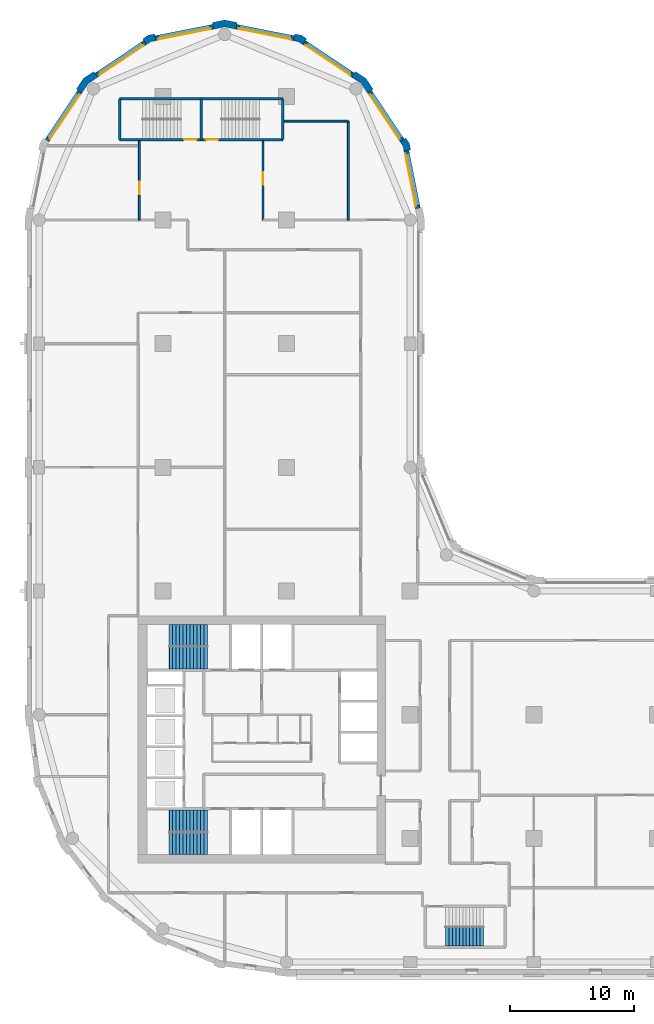
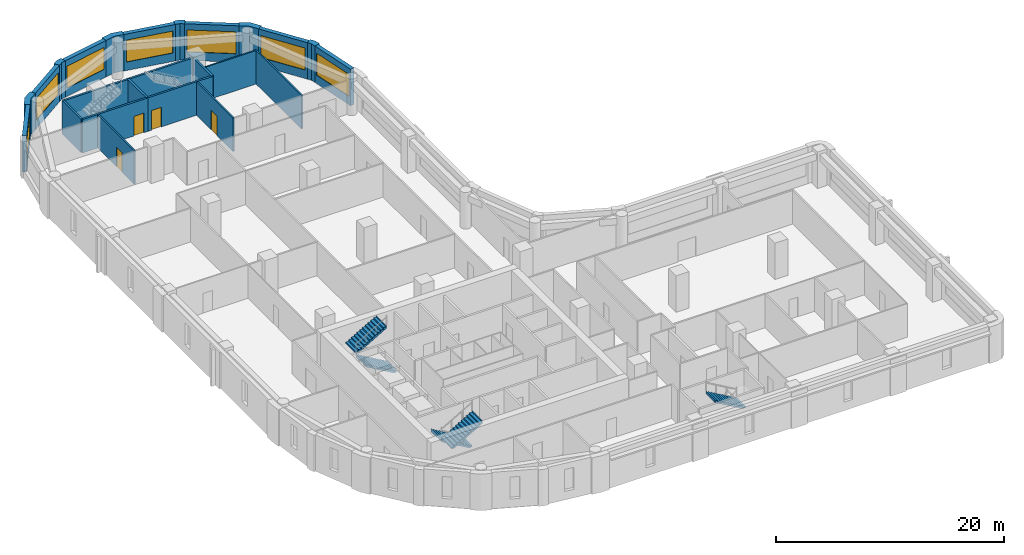
# One storey, part 7 of 10: 24 walls, 7 windows, 5 stair flights, 4 doors, 11 openings, 3 elements without a shape of their own.
"""IFC4 building model written with IfcOpenShell, lengths in metres."""

from ifc_helpers import new_model, si_unit, direction, frame, frame_2d, origin, place, context, subcontext, project, spatial, polyline, rectangle, outline, extrude, material, layer, layer_set, type_object, element, fill, aggregate, save


model = new_model("IFC4")

# Units and contexts
model_context = context("Model", 3, precision=1e-05, world=origin(), true_north=direction((0.0, 1.0)))
body_context = subcontext(model_context, "Body", "Model", "MODEL_VIEW")
ifc_project = project(units=[si_unit("LENGTHUNIT", "METRE"), si_unit("AREAUNIT", "SQUARE_METRE"), si_unit("VOLUMEUNIT", "CUBIC_METRE"), si_unit("PLANEANGLEUNIT", "RADIAN"), si_unit("MASSUNIT", "GRAM", prefix="KILO")], contexts=[model_context])

# Site, building, storey
site_placement = place(None, origin())
site = spatial("IfcSite", under=ifc_project, at=site_placement, CompositionType="ELEMENT")
building_placement = place(site_placement, origin())
building = spatial("IfcBuilding", under=site, at=building_placement, Name="Qaws Garden Tower", CompositionType="ELEMENT")
storey_placement = place(building_placement, frame((0.0, 0.0, 201.89990234375)))
storey = spatial("IfcBuildingStorey", under=building, at=storey_placement, Name="L49", CompositionType="ELEMENT", Elevation=201.89990234375)

# Wall, opening, window
ifc_material_1 = material(Name="Clay facing brick masonry", Category="masonry")
ifc_layer_1 = layer(ifc_material_1, 0.39990234375)
ifc_layer_set_1 = layer_set([ifc_layer_1], Name="Clay facing brick masonry")
wall_type_1 = type_object("IfcWallType", Name="Brick infill wall 400", PredefinedType="SOLIDWALL", material=ifc_layer_set_1)
wall_1_placement = place(storey_placement, frame((30.628662109375, 60.940673828125, 0.0), z_axis=(0.0, 0.0, 1.0), x_axis=(-0.195098533057, 0.98078364709, 0.0)))
wall_1 = element("IfcWall", 1, at=wall_1_placement, inside=storey, type_object=wall_type_1, Name="E-L49-infill-13", PredefinedType="SOLIDWALL", context=body_context, shape_type="SweptSolid", body=[
    extrude(rectangle(XDim=4.752685546875, YDim=0.39990234375, at=frame_2d((2.37646484375, 0.0))), origin(), (0.0, 0.0, 1.0), 3.900146484375),
])
opening_1_placement = place(wall_1_placement, frame((0.226318359375, 0.0, 0.89990234375)))
opening_1 = element("IfcOpeningElement", 2, at=opening_1_placement, cuts=wall_1, Name="Opening W06", PredefinedType="OPENING", context=body_context, shape_type="SweptSolid", body=[
    extrude(rectangle(XDim=4.300048828125, YDim=2.35009765625, at=frame_2d((2.14990234375, 1.175048828125))), frame((0.0, 0.2099609375, 0.0), z_axis=(0.0, -1.0, 0.0), x_axis=(1.0, 0.0, 0.0)), (0.0, 0.0, 1.0), 0.419921875),
])
ifc_material_2 = material(Name="Aluminium framed window, clear glazing", Category="aluminium")
window_type = type_object("IfcWindowType", Name="Ribbon window 4300 x 2350", PartitioningType="DOUBLE_PANEL_VERTICAL", PredefinedType="WINDOW", material=ifc_material_2)
window_1_placement = place(opening_1_placement, origin())
window_1 = element("IfcWindow", 3, at=window_1_placement, inside=storey, type_object=window_type, Name="E-L49-window-13-0", OverallHeight=2.35009765625, OverallWidth=4.300048828125, PartitioningType="SINGLE_PANEL", PredefinedType="WINDOW", context=body_context, shape_type="SweptSolid", body=[
    extrude(rectangle(XDim=4.300048828125, YDim=2.35009765625, at=frame_2d((2.14990234375, 1.175048828125))), frame((0.0, 0.159912109375, 0.0), z_axis=(0.0, -1.0, 0.0), x_axis=(1.0, 0.0, 0.0)), (0.0, 0.0, 1.0), 0.06005859375),
])
fill(opening_1, window_1)

wall_2_placement = place(storey_placement, frame((29.356689453125, 66.43408203125, 0.0), z_axis=(0.0, 0.0, 1.0), x_axis=(-0.555541552266, 0.831488775454, 0.0)))
wall_2 = element("IfcWall", 4, at=wall_2_placement, inside=storey, type_object=wall_type_1, Name="E-L49-infill-14", PredefinedType="SOLIDWALL", context=body_context, shape_type="SweptSolid", body=[
    extrude(rectangle(XDim=4.752685546875, YDim=0.39990234375, at=frame_2d((2.37646484375, 0.0))), origin(), (0.0, 0.0, 1.0), 3.900146484375),
])
opening_2_placement = place(wall_2_placement, frame((0.226318359375, 0.0, 0.89990234375)))
opening_2 = element("IfcOpeningElement", 5, at=opening_2_placement, cuts=wall_2, Name="Opening W06", PredefinedType="OPENING", context=body_context, shape_type="SweptSolid", body=[
    extrude(rectangle(XDim=4.300048828125, YDim=2.35009765625, at=frame_2d((2.14990234375, 1.175048828125))), frame((0.0, 0.2099609375, 0.0), z_axis=(0.0, -1.0, 0.0), x_axis=(1.0, 0.0, 0.0)), (0.0, 0.0, 1.0), 0.419921875),
])
window_2_placement = place(opening_2_placement, origin())
window_2 = element("IfcWindow", 6, at=window_2_placement, inside=storey, type_object=window_type, Name="E-L49-window-14-0", OverallHeight=2.35009765625, OverallWidth=4.300048828125, PartitioningType="SINGLE_PANEL", PredefinedType="WINDOW", context=body_context, shape_type="SweptSolid", body=[
    extrude(rectangle(XDim=4.300048828125, YDim=2.35009765625, at=frame_2d((2.14990234375, 1.175048828125))), frame((0.0, 0.159912109375, 0.0), z_axis=(0.0, -1.0, 0.0), x_axis=(1.0, 0.0, 0.0)), (0.0, 0.0, 1.0), 0.06005859375),
])
fill(opening_2, window_2)

wall_3_placement = place(storey_placement, frame((25.385986328125, 71.71630859375, 0.0), z_axis=(0.0, 0.0, 1.0), x_axis=(-0.831488775454, 0.555541552266, 0.0)))
wall_3 = element("IfcWall", 7, at=wall_3_placement, inside=storey, type_object=wall_type_1, Name="E-L49-infill-15", PredefinedType="SOLIDWALL", context=body_context, shape_type="SweptSolid", body=[
    extrude(rectangle(XDim=4.752685546875, YDim=0.39990234375, at=frame_2d((2.37646484375, 0.0))), origin(), (0.0, 0.0, 1.0), 3.900146484375),
])
opening_3_placement = place(wall_3_placement, frame((0.226318359375, 0.0, 0.89990234375)))
opening_3 = element("IfcOpeningElement", 8, at=opening_3_placement, cuts=wall_3, Name="Opening W06", PredefinedType="OPENING", context=body_context, shape_type="SweptSolid", body=[
    extrude(rectangle(XDim=4.300048828125, YDim=2.35009765625, at=frame_2d((2.14990234375, 1.175048828125))), frame((0.0, 0.2099609375, 0.0), z_axis=(0.0, -1.0, 0.0), x_axis=(1.0, 0.0, 0.0)), (0.0, 0.0, 1.0), 0.419921875),
])
window_3_placement = place(opening_3_placement, origin())
window_3 = element("IfcWindow", 9, at=window_3_placement, inside=storey, type_object=window_type, Name="E-L49-window-15-0", OverallHeight=2.35009765625, OverallWidth=4.300048828125, PartitioningType="SINGLE_PANEL", PredefinedType="WINDOW", context=body_context, shape_type="SweptSolid", body=[
    extrude(rectangle(XDim=4.300048828125, YDim=2.35009765625, at=frame_2d((2.14990234375, 1.175048828125))), frame((0.0, 0.159912109375, 0.0), z_axis=(0.0, -1.0, 0.0), x_axis=(1.0, 0.0, 0.0)), (0.0, 0.0, 1.0), 0.06005859375),
])
fill(opening_3, window_3)

wall_4_placement = place(storey_placement, frame((20.60205078125, 74.701416015625, 0.0), z_axis=(0.0, 0.0, 1.0), x_axis=(-0.98078364709, 0.195098533057, 0.0)))
wall_4 = element("IfcWall", 10, at=wall_4_placement, inside=storey, type_object=wall_type_1, Name="E-L49-infill-16", PredefinedType="SOLIDWALL", context=body_context, shape_type="SweptSolid", body=[
    extrude(rectangle(XDim=4.752685546875, YDim=0.39990234375, at=frame_2d((2.37646484375, 0.0))), origin(), (0.0, 0.0, 1.0), 3.900146484375),
])
opening_4_placement = place(wall_4_placement, frame((0.226318359375, 0.0, 0.89990234375)))
opening_4 = element("IfcOpeningElement", 11, at=opening_4_placement, cuts=wall_4, Name="Opening W06", PredefinedType="OPENING", context=body_context, shape_type="SweptSolid", body=[
    extrude(rectangle(XDim=4.300048828125, YDim=2.35009765625, at=frame_2d((2.14990234375, 1.175048828125))), frame((0.0, 0.2099609375, 0.0), z_axis=(0.0, -1.0, 0.0), x_axis=(1.0, 0.0, 0.0)), (0.0, 0.0, 1.0), 0.419921875),
])
window_4_placement = place(opening_4_placement, origin())
window_4 = element("IfcWindow", 12, at=window_4_placement, inside=storey, type_object=window_type, Name="E-L49-window-16-0", OverallHeight=2.35009765625, OverallWidth=4.300048828125, PartitioningType="SINGLE_PANEL", PredefinedType="WINDOW", context=body_context, shape_type="SweptSolid", body=[
    extrude(rectangle(XDim=4.300048828125, YDim=2.35009765625, at=frame_2d((2.14990234375, 1.175048828125))), frame((0.0, 0.159912109375, 0.0), z_axis=(0.0, -1.0, 0.0), x_axis=(1.0, 0.0, 0.0)), (0.0, 0.0, 1.0), 0.06005859375),
])
fill(opening_4, window_4)

wall_5_placement = place(storey_placement, frame((14.059326171875, 75.628662109375, 0.0), z_axis=(0.0, 0.0, 1.0), x_axis=(-0.98078364709, -0.195098533057, 0.0)))
wall_5 = element("IfcWall", 13, at=wall_5_placement, inside=storey, type_object=wall_type_1, Name="E-L49-infill-17", PredefinedType="SOLIDWALL", context=body_context, shape_type="SweptSolid", body=[
    extrude(rectangle(XDim=4.752685546875, YDim=0.39990234375, at=frame_2d((2.37646484375, 0.0))), origin(), (0.0, 0.0, 1.0), 3.900146484375),
])
opening_5_placement = place(wall_5_placement, frame((0.226318359375, 0.0, 0.89990234375)))
opening_5 = element("IfcOpeningElement", 14, at=opening_5_placement, cuts=wall_5, Name="Opening W06", PredefinedType="OPENING", context=body_context, shape_type="SweptSolid", body=[
    extrude(rectangle(XDim=4.300048828125, YDim=2.35009765625, at=frame_2d((2.14990234375, 1.175048828125))), frame((0.0, 0.2099609375, 0.0), z_axis=(0.0, -1.0, 0.0), x_axis=(1.0, 0.0, 0.0)), (0.0, 0.0, 1.0), 0.419921875),
])
window_5_placement = place(opening_5_placement, origin())
window_5 = element("IfcWindow", 15, at=window_5_placement, inside=storey, type_object=window_type, Name="E-L49-window-17-0", OverallHeight=2.35009765625, OverallWidth=4.300048828125, PartitioningType="SINGLE_PANEL", PredefinedType="WINDOW", context=body_context, shape_type="SweptSolid", body=[
    extrude(rectangle(XDim=4.300048828125, YDim=2.35009765625, at=frame_2d((2.14990234375, 1.175048828125))), frame((0.0, 0.159912109375, 0.0), z_axis=(0.0, -1.0, 0.0), x_axis=(1.0, 0.0, 0.0)), (0.0, 0.0, 1.0), 0.06005859375),
])
fill(opening_5, window_5)

wall_6_placement = place(storey_placement, frame((8.56591796875, 74.356689453125, 0.0), z_axis=(0.0, 0.0, 1.0), x_axis=(-0.831488775454, -0.555541552266, 0.0)))
wall_6 = element("IfcWall", 16, at=wall_6_placement, inside=storey, type_object=wall_type_1, Name="E-L49-infill-18", PredefinedType="SOLIDWALL", context=body_context, shape_type="SweptSolid", body=[
    extrude(rectangle(XDim=4.752685546875, YDim=0.39990234375, at=frame_2d((2.37646484375, 0.0))), origin(), (0.0, 0.0, 1.0), 3.900146484375),
])
opening_6_placement = place(wall_6_placement, frame((0.226318359375, 0.0, 0.89990234375)))
opening_6 = element("IfcOpeningElement", 17, at=opening_6_placement, cuts=wall_6, Name="Opening W06", PredefinedType="OPENING", context=body_context, shape_type="SweptSolid", body=[
    extrude(rectangle(XDim=4.300048828125, YDim=2.35009765625, at=frame_2d((2.14990234375, 1.175048828125))), frame((0.0, 0.2099609375, 0.0), z_axis=(0.0, -1.0, 0.0), x_axis=(1.0, 0.0, 0.0)), (0.0, 0.0, 1.0), 0.419921875),
])
window_6_placement = place(opening_6_placement, origin())
window_6 = element("IfcWindow", 18, at=window_6_placement, inside=storey, type_object=window_type, Name="E-L49-window-18-0", OverallHeight=2.35009765625, OverallWidth=4.300048828125, PartitioningType="SINGLE_PANEL", PredefinedType="WINDOW", context=body_context, shape_type="SweptSolid", body=[
    extrude(rectangle(XDim=4.300048828125, YDim=2.35009765625, at=frame_2d((2.14990234375, 1.175048828125))), frame((0.0, 0.159912109375, 0.0), z_axis=(0.0, -1.0, 0.0), x_axis=(1.0, 0.0, 0.0)), (0.0, 0.0, 1.0), 0.06005859375),
])
fill(opening_6, window_6)

wall_7_placement = place(storey_placement, frame((3.28369140625, 70.385986328125, 0.0), z_axis=(0.0, 0.0, 1.0), x_axis=(-0.555541552266, -0.831488775454, 0.0)))
wall_7 = element("IfcWall", 19, at=wall_7_placement, inside=storey, type_object=wall_type_1, Name="E-L49-infill-19", PredefinedType="SOLIDWALL", context=body_context, shape_type="SweptSolid", body=[
    extrude(rectangle(XDim=4.752685546875, YDim=0.39990234375, at=frame_2d((2.37646484375, 0.0))), origin(), (0.0, 0.0, 1.0), 3.900146484375),
])
opening_7_placement = place(wall_7_placement, frame((0.226318359375, 0.0, 0.89990234375)))
opening_7 = element("IfcOpeningElement", 20, at=opening_7_placement, cuts=wall_7, Name="Opening W06", PredefinedType="OPENING", context=body_context, shape_type="SweptSolid", body=[
    extrude(rectangle(XDim=4.300048828125, YDim=2.35009765625, at=frame_2d((2.14990234375, 1.175048828125))), frame((0.0, 0.2099609375, 0.0), z_axis=(0.0, -1.0, 0.0), x_axis=(1.0, 0.0, 0.0)), (0.0, 0.0, 1.0), 0.419921875),
])
window_7_placement = place(opening_7_placement, origin())
window_7 = element("IfcWindow", 21, at=window_7_placement, inside=storey, type_object=window_type, Name="E-L49-window-19-0", OverallHeight=2.35009765625, OverallWidth=4.300048828125, PartitioningType="SINGLE_PANEL", PredefinedType="WINDOW", context=body_context, shape_type="SweptSolid", body=[
    extrude(rectangle(XDim=4.300048828125, YDim=2.35009765625, at=frame_2d((2.14990234375, 1.175048828125))), frame((0.0, 0.159912109375, 0.0), z_axis=(0.0, -1.0, 0.0), x_axis=(1.0, 0.0, 0.0)), (0.0, 0.0, 1.0), 0.06005859375),
])
fill(opening_7, window_7)

# Walls
ifc_material_3 = material(Name="Clay facing brick masonry", Category="masonry")
ifc_layer_2 = layer(ifc_material_3, 0.550048828125)
ifc_layer_set_2 = layer_set([ifc_layer_2], Name="Clay facing brick masonry")
wall_type_2 = type_object("IfcWallType", Name="Brick kink pier 550 x 600", PredefinedType="SOLIDWALL", material=ifc_layer_set_2)
placement = place(storey_placement, origin())
element("IfcWall", 22, at=placement, inside=storey, type_object=wall_type_2, Name="E-L49-pier-14", PredefinedType="SOLIDWALL", context=body_context, shape_type="SweptSolid", body=[
    extrude(outline(polyline([(29.8974609375, 65.64111328125), (30.044677734375, 65.67041015625), (29.94140625, 66.18896484375), (29.647705078125, 66.628662109375), (29.52294921875, 66.545166015625), (29.1904296875, 66.322998046875), (29.42333984375, 65.974365234375), (29.505126953125, 65.56298828125), (29.8974609375, 65.64111328125)])), origin(), (0.0, 0.0, 1.0), 3.900146484375),
])
element("IfcWall", 23, at=placement, inside=storey, type_object=wall_type_2, Name="E-L49-pier-16", PredefinedType="SOLIDWALL", context=body_context, shape_type="SweptSolid", body=[
    extrude(outline(polyline([(21.545166015625, 74.52294921875), (21.628662109375, 74.647705078125), (21.18896484375, 74.94140625), (20.67041015625, 75.044677734375), (20.64111328125, 74.8974609375), (20.56298828125, 74.505126953125), (20.974365234375, 74.42333984375), (21.322998046875, 74.1904296875), (21.545166015625, 74.52294921875)])), origin(), (0.0, 0.0, 1.0), 3.900146484375),
])
element("IfcWall", 24, at=placement, inside=storey, type_object=wall_type_2, Name="E-L49-pier-18", PredefinedType="SOLIDWALL", context=body_context, shape_type="SweptSolid", body=[
    extrude(outline(polyline([(9.35888671875, 74.8974609375), (9.32958984375, 75.044677734375), (8.81103515625, 74.94140625), (8.371337890625, 74.647705078125), (8.454833984375, 74.52294921875), (8.677001953125, 74.1904296875), (9.025634765625, 74.42333984375), (9.43701171875, 74.505126953125), (9.35888671875, 74.8974609375)])), origin(), (0.0, 0.0, 1.0), 3.900146484375),
])
ifc_material_4 = material(Name="Clay facing brick masonry", Category="masonry")
ifc_layer_3 = layer(ifc_material_4, 0.550048828125)
ifc_layer_set_3 = layer_set([ifc_layer_3], Name="Clay facing brick masonry")
wall_type_3 = type_object("IfcWallType", Name="Brick pier 550 x 1600", PredefinedType="SOLIDWALL", material=ifc_layer_set_3)
element("IfcWall", 25, at=placement, inside=storey, type_object=wall_type_3, Name="E-L49-pier-15", PredefinedType="SOLIDWALL", context=body_context, shape_type="SweptSolid", body=[
    extrude(outline(polyline([(26.882568359375, 70.4970703125), (27.00732421875, 70.580322265625), (26.435791015625, 71.435791015625), (25.580322265625, 72.00732421875), (25.4970703125, 71.882568359375), (25.274658203125, 71.550048828125), (26.0390625, 71.0390625), (26.550048828125, 70.274658203125), (26.882568359375, 70.4970703125)])), origin(), (0.0, 0.0, 1.0), 3.900146484375),
])
element("IfcWall", 26, at=placement, inside=storey, type_object=wall_type_3, Name="E-L49-pier-17", PredefinedType="SOLIDWALL", context=body_context, shape_type="SweptSolid", body=[
    extrude(outline(polyline([(15.979736328125, 75.82470703125), (16.009033203125, 75.971923828125), (15.0, 76.172607421875), (13.990966796875, 75.971923828125), (14.020263671875, 75.82470703125), (14.098388671875, 75.432373046875), (15.0, 75.61181640625), (15.901611328125, 75.432373046875), (15.979736328125, 75.82470703125)])), origin(), (0.0, 0.0, 1.0), 3.900146484375),
])
element("IfcWall", 27, at=placement, inside=storey, type_object=wall_type_3, Name="E-L49-pier-19", PredefinedType="SOLIDWALL", context=body_context, shape_type="SweptSolid", body=[
    extrude(outline(polyline([(4.5029296875, 71.882568359375), (4.419677734375, 72.00732421875), (3.564208984375, 71.435791015625), (2.99267578125, 70.580322265625), (3.117431640625, 70.4970703125), (3.449951171875, 70.274658203125), (3.9609375, 71.0390625), (4.725341796875, 71.550048828125), (4.5029296875, 71.882568359375)])), origin(), (0.0, 0.0, 1.0), 3.900146484375),
])

# Wall, opening, door
ifc_material_5 = material(Name="Concrete C70", Category="concrete")
ifc_layer_4 = layer(ifc_material_5, 0.199951171875)
ifc_layer_set_4 = layer_set([ifc_layer_4], Name="Concrete C70")
wall_type_4 = type_object("IfcWallType", Name="Core shaft wall 200 C70", PredefinedType="SHEAR", material=ifc_layer_set_4)
wall_14_placement = place(storey_placement, frame((6.5, 66.5, 0.0), z_axis=(0.0, 0.0, 1.0), x_axis=(1.0, 0.0, 0.0)))
wall_14 = element("IfcWall", 28, at=wall_14_placement, inside=storey, type_object=wall_type_4, Name="Shaft wall", PredefinedType="SHEAR", context=body_context, shape_type="SweptSolid", body=[
    extrude(rectangle(XDim=6.60009765625, YDim=0.199951171875, at=frame_2d((3.300048828125, 0.0))), origin(), (0.0, 0.0, 1.0), 3.580078125),
])
opening_8_placement = place(wall_14_placement, frame((5.22509765625, 0.0, 0.0)))
opening_8 = element("IfcOpeningElement", 29, at=opening_8_placement, cuts=wall_14, Name="Opening SD13", PredefinedType="OPENING", context=body_context, shape_type="SweptSolid", body=[
    extrude(rectangle(XDim=1.0, YDim=2.10009765625, at=frame_2d((0.5, 1.050048828125))), frame((0.0, 0.10986328125, 0.0), z_axis=(0.0, -1.0, 0.0), x_axis=(1.0, 0.0, 0.0)), (0.0, 0.0, 1.0), 0.219970703125),
])
ifc_material_6 = material(Name="Steel S235", Category="steel")
door_type_1 = type_object("IfcDoorType", Name="Stair door 1000x2100", OperationType="SINGLE_SWING_RIGHT", PredefinedType="DOOR", material=ifc_material_6)
door_1_placement = place(opening_8_placement, origin())
door_1 = element("IfcDoor", 30, at=door_1_placement, inside=storey, type_object=door_type_1, Name="Stair 6 door", OperationType="SINGLE_SWING_RIGHT", OverallHeight=2.10009765625, OverallWidth=1.0, PredefinedType="DOOR", context=body_context, shape_type="SweptSolid", body=[
    extrude(rectangle(XDim=1.0, YDim=2.10009765625, at=frame_2d((0.5, 1.050048828125))), frame((0.0, 0.02490234375, 0.0), z_axis=(0.0, -1.0, 0.0), x_axis=(1.0, 0.0, 0.0)), (0.0, 0.0, 1.0), 0.050048828125),
])
fill(opening_8, door_1)

wall_15_placement = place(storey_placement, frame((13.10009765625, 66.5, 0.0), z_axis=(0.0, 0.0, 1.0), x_axis=(1.0, 0.0, 0.0)))
wall_15 = element("IfcWall", 31, at=wall_15_placement, inside=storey, type_object=wall_type_4, Name="Shaft wall", PredefinedType="SHEAR", context=body_context, shape_type="SweptSolid", body=[
    extrude(rectangle(XDim=6.599853515625, YDim=0.199951171875, at=frame_2d((3.2998046875, 0.0))), origin(), (0.0, 0.0, 1.0), 3.580078125),
])
opening_9_placement = place(wall_15_placement, frame((0.375, 0.0, 0.0)))
opening_9 = element("IfcOpeningElement", 32, at=opening_9_placement, cuts=wall_15, Name="Opening SD14", PredefinedType="OPENING", context=body_context, shape_type="SweptSolid", body=[
    extrude(rectangle(XDim=1.0, YDim=2.10009765625, at=frame_2d((0.5, 1.050048828125))), frame((0.0, 0.10986328125, 0.0), z_axis=(0.0, -1.0, 0.0), x_axis=(1.0, 0.0, 0.0)), (0.0, 0.0, 1.0), 0.219970703125),
])
door_2_placement = place(opening_9_placement, origin())
door_2 = element("IfcDoor", 33, at=door_2_placement, inside=storey, type_object=door_type_1, Name="Stair 7 door", OperationType="SINGLE_SWING_LEFT", OverallHeight=2.10009765625, OverallWidth=1.0, PredefinedType="DOOR", context=body_context, shape_type="SweptSolid", body=[
    extrude(rectangle(XDim=1.0, YDim=2.10009765625, at=frame_2d((0.5, 1.050048828125))), frame((0.0, 0.02490234375, 0.0), z_axis=(0.0, -1.0, 0.0), x_axis=(1.0, 0.0, 0.0)), (0.0, 0.0, 1.0), 0.050048828125),
])
fill(opening_9, door_2)

# Walls
wall_16_placement = place(storey_placement, frame((6.5, 69.800048828125, 0.0), z_axis=(0.0, 0.0, 1.0), x_axis=(1.0, 0.0, 0.0)))
element("IfcWall", 34, at=wall_16_placement, inside=storey, type_object=wall_type_4, Name="Shaft wall", PredefinedType="SHEAR", context=body_context, shape_type="SweptSolid", body=[
    extrude(rectangle(XDim=6.60009765625, YDim=0.199951171875, at=frame_2d((3.300048828125, 0.0))), origin(), (0.0, 0.0, 1.0), 3.580078125),
])
wall_17_placement = place(storey_placement, frame((13.10009765625, 69.800048828125, 0.0), z_axis=(0.0, 0.0, 1.0), x_axis=(1.0, 0.0, 0.0)))
element("IfcWall", 35, at=wall_17_placement, inside=storey, type_object=wall_type_4, Name="Shaft wall", PredefinedType="SHEAR", context=body_context, shape_type="SweptSolid", body=[
    extrude(rectangle(XDim=6.599853515625, YDim=0.199951171875, at=frame_2d((3.2998046875, 0.0))), origin(), (0.0, 0.0, 1.0), 3.580078125),
])
for number, where, z_axis, x_axis, name in (
    (36, (6.5, 66.5, 0.0), (0.0, 0.0, 1.0), (0.0, 1.0, 0.0), "Shaft wall"),
    (37, (13.10009765625, 66.5, 0.0), (0.0, 0.0, 1.0), (0.0, 1.0, 0.0), "Shaft wall"),
    (38, (19.699951171875, 66.5, 0.0), (0.0, 0.0, 1.0), (0.0, 1.0, 0.0), "Shaft wall"),
):
    element("IfcWall", number, at=place(storey_placement, frame(where, z_axis=z_axis, x_axis=x_axis)), inside=storey, type_object=wall_type_4, Name=name, PredefinedType="SHEAR", context=body_context, shape_type="SweptSolid", body=[
        extrude(rectangle(XDim=3.300048828125, YDim=0.199951171875, at=frame_2d((1.64990234375, 0.0))), origin(), (0.0, 0.0, 1.0), 3.580078125),
    ])

# Wall, opening, door
ifc_material_7 = material(Name="Gypsum board partition")
ifc_layer_5 = layer(ifc_material_7, 0.14990234375)
ifc_layer_set_5 = layer_set([ifc_layer_5], Name="Gypsum board partition")
wall_type_5 = type_object("IfcWallType", Name="PARTITION 150 EI 60", PredefinedType="PARTITIONING", material=ifc_layer_set_5)
wall_18_placement = place(storey_placement, frame((8.10009765625, 60.0, 0.0), z_axis=(0.0, 0.0, 1.0), x_axis=(0.0, 1.0, 0.0)))
wall_18 = element("IfcWall", 39, at=wall_18_placement, inside=storey, type_object=wall_type_5, Name="O-L49-wall-012", PredefinedType="PARTITIONING", context=body_context, shape_type="SweptSolid", body=[
    extrude(rectangle(XDim=6.39990234375, YDim=0.14990234375, at=frame_2d((3.199951171875, 0.0))), origin(), (0.0, 0.0, 1.0), 3.580078125),
])
opening_10_placement = place(wall_18_placement, frame((2.10009765625, 0.0, 0.0)))
opening_10 = element("IfcOpeningElement", 40, at=opening_10_placement, cuts=wall_18, Name="Opening B712", PredefinedType="OPENING", context=body_context, shape_type="SweptSolid", body=[
    extrude(rectangle(XDim=1.0, YDim=2.10009765625, at=frame_2d((0.5, 1.050048828125))), frame((0.0, 0.0849609375, 0.0), z_axis=(0.0, -1.0, 0.0), x_axis=(1.0, 0.0, 0.0)), (0.0, 0.0, 1.0), 0.169921875),
])
ifc_material_8 = material(Name="Timber door leaf", Category="wood")
door_type_2 = type_object("IfcDoorType", Name="TENANCY ENTRANCE DOOR 1000 X 2100", OperationType="SINGLE_SWING_LEFT", PredefinedType="DOOR", material=ifc_material_8)
door_3_placement = place(opening_10_placement, origin())
door_3 = element("IfcDoor", 41, at=door_3_placement, inside=storey, type_object=door_type_2, Name="O-L49-door-012", OperationType="SINGLE_SWING_LEFT", OverallHeight=2.10009765625, OverallWidth=1.0, PredefinedType="DOOR", context=body_context, shape_type="SweptSolid", body=[
    extrude(rectangle(XDim=1.0, YDim=2.10009765625, at=frame_2d((0.5, 1.050048828125))), frame((0.0, 0.02490234375, 0.0), z_axis=(0.0, -1.0, 0.0), x_axis=(1.0, 0.0, 0.0)), (0.0, 0.0, 1.0), 0.050048828125),
])
fill(opening_10, door_3)

wall_19_placement = place(storey_placement, frame((18.10009765625, 60.0, 0.0), z_axis=(0.0, 0.0, 1.0), x_axis=(0.0, 1.0, 0.0)))
wall_19 = element("IfcWall", 42, at=wall_19_placement, inside=storey, type_object=wall_type_5, Name="O-L49-wall-016", PredefinedType="PARTITIONING", context=body_context, shape_type="SweptSolid", body=[
    extrude(rectangle(XDim=6.39990234375, YDim=0.14990234375, at=frame_2d((3.199951171875, 0.0))), origin(), (0.0, 0.0, 1.0), 3.580078125),
])
opening_11_placement = place(wall_19_placement, frame((2.85009765625, 0.0, 0.0)))
opening_11 = element("IfcOpeningElement", 43, at=opening_11_placement, cuts=wall_19, Name="Opening B713", PredefinedType="OPENING", context=body_context, shape_type="SweptSolid", body=[
    extrude(rectangle(XDim=1.0, YDim=2.10009765625, at=frame_2d((0.5, 1.050048828125))), frame((0.0, 0.0849609375, 0.0), z_axis=(0.0, -1.0, 0.0), x_axis=(1.0, 0.0, 0.0)), (0.0, 0.0, 1.0), 0.169921875),
])
door_4_placement = place(opening_11_placement, frame((1.0, 0.0, 0.0), z_axis=(0.0, 0.0, 1.0), x_axis=(-1.0, 0.0, 0.0)))
door_4 = element("IfcDoor", 44, at=door_4_placement, inside=storey, type_object=door_type_2, Name="O-L49-door-013", OperationType="SINGLE_SWING_RIGHT", OverallHeight=2.10009765625, OverallWidth=1.0, PredefinedType="DOOR", context=body_context, shape_type="SweptSolid", body=[
    extrude(rectangle(XDim=1.0, YDim=2.10009765625, at=frame_2d((0.5, 1.050048828125))), frame((0.0, 0.02490234375, 0.0), z_axis=(0.0, -1.0, 0.0), x_axis=(1.0, 0.0, 0.0)), (0.0, 0.0, 1.0), 0.050048828125),
])
fill(opening_11, door_4)

# Walls
wall_20_placement = place(storey_placement, frame((25.0, 60.0, 0.0), z_axis=(0.0, 0.0, 1.0), x_axis=(0.0, 1.0, 0.0)))
element("IfcWall", 45, at=wall_20_placement, inside=storey, type_object=wall_type_5, Name="O-L49-wall-018", PredefinedType="PARTITIONING", context=body_context, shape_type="SweptSolid", body=[
    extrude(rectangle(XDim=8.0, YDim=0.14990234375, at=frame_2d((4.0, 0.0))), origin(), (0.0, 0.0, 1.0), 3.580078125),
])
wall_21_placement = place(storey_placement, frame((19.800048828125, 68.0, 0.0), z_axis=(0.0, 0.0, 1.0), x_axis=(1.0, 0.0, 0.0)))
element("IfcWall", 46, at=wall_21_placement, inside=storey, type_object=wall_type_5, Name="O-L49-wall-062", PredefinedType="PARTITIONING", context=body_context, shape_type="SweptSolid", body=[
    extrude(rectangle(XDim=5.199951171875, YDim=0.14990234375, at=frame_2d((2.60009765625, 0.0))), origin(), (0.0, 0.0, 1.0), 3.580078125),
])

# Stair, stair flight
ifc_material_9 = material(Name="Concrete C40", Category="concrete")
stair_type_1 = type_object("IfcStairType", Name="Exit stair 1350", PredefinedType="HALF_TURN_STAIR", material=ifc_material_9)
stair_1 = element("IfcStair", 47, at=placement, inside=storey, type_object=stair_type_1, Name="Stair 5", PredefinedType="HALF_TURN_STAIR")
ifc_material_10 = material(Name="Concrete C40", Category="concrete")
stair_flight_type_1 = type_object("IfcStairFlightType", Name="Stair flight 1350", PredefinedType="STRAIGHT", material=ifc_material_10)
stair_flight_1_placement = place(storey_placement, frame((35.929931640625, 2.074951171875, 1.9501953125), z_axis=(0.0, 0.0, 1.0), x_axis=(-1.0, 0.0, 0.0)))
stair_flight_1 = element("IfcStairFlight", 48, at=stair_flight_1_placement, type_object=stair_flight_type_1, Name="ST5 flight 2", NumberOfRisers=12, NumberOfTreads=11, PredefinedType="STRAIGHT", RiserHeight=0.1625, TreadLength=0.28, context=body_context, shape_type="SweptSolid", body=[
    extrude(outline(polyline([(-0.0029296875, 0.0), (-0.0029296875, 0.16259765625), (0.0, 0.16259765625), (0.280029296875, 0.16259765625), (0.280029296875, 0.324951171875), (0.56005859375, 0.324951171875), (0.56005859375, 0.487548828125), (0.840087890625, 0.487548828125), (0.840087890625, 0.64990234375), (1.1201171875, 0.64990234375), (1.1201171875, 0.8125), (1.39990234375, 0.8125), (1.39990234375, 0.97509765625), (1.679931640625, 0.97509765625), (1.679931640625, 1.137451171875), (1.9599609375, 1.137451171875), (1.9599609375, 1.300048828125), (2.239990234375, 1.300048828125), (2.239990234375, 1.46240234375), (2.52001953125, 1.46240234375), (2.52001953125, 1.625), (2.800048828125, 1.625), (2.800048828125, 1.78759765625), (3.080078125, 1.78759765625), (3.080078125, 1.949951171875), (3.0830078125, 1.949951171875), (3.0830078125, 1.6142578125), (3.080078125, 1.6142578125), (0.298583984375, 0.0), (-0.0029296875, 0.0)])), frame((0.0, 0.77490234375, 0.0), z_axis=(0.0, -1.0, 0.0), x_axis=(1.0, 0.0, 0.0)), (0.0, 0.0, 1.0), 1.550048828125),
])
aggregate(stair_1, [stair_flight_1])

# Stair, stair flights
ifc_material_11 = material(Name="Concrete C40", Category="concrete")
stair_type_2 = type_object("IfcStairType", Name="Exit stair 1500", PredefinedType="HALF_TURN_STAIR", material=ifc_material_11)
stair_2 = element("IfcStair", 49, at=placement, inside=storey, type_object=stair_type_2, Name="Stair 1", PredefinedType="HALF_TURN_STAIR")
ifc_material_12 = material(Name="Concrete C40", Category="concrete")
stair_flight_type_2 = type_object("IfcStairFlightType", Name="Stair flight 1500", PredefinedType="STRAIGHT", material=ifc_material_12)
stair_flight_2_placement = place(storey_placement, frame((13.60009765625, 11.39990234375, 0.0), z_axis=(0.0, 0.0, 1.0), x_axis=(-1.0, 0.0, 0.0)))
stair_flight_2 = element("IfcStairFlight", 50, at=stair_flight_2_placement, type_object=stair_flight_type_2, Name="ST1 flight 1", NumberOfRisers=12, NumberOfTreads=11, PredefinedType="STRAIGHT", RiserHeight=0.1625, TreadLength=0.28, context=body_context, shape_type="SweptSolid", body=[
    extrude(outline(polyline([(-0.0029296875, 0.0), (-0.0029296875, 0.16259765625), (0.0, 0.16259765625), (0.280029296875, 0.16259765625), (0.280029296875, 0.324951171875), (0.56005859375, 0.324951171875), (0.56005859375, 0.487548828125), (0.840087890625, 0.487548828125), (0.840087890625, 0.64990234375), (1.1201171875, 0.64990234375), (1.1201171875, 0.8125), (1.39990234375, 0.8125), (1.39990234375, 0.97509765625), (1.679931640625, 0.97509765625), (1.679931640625, 1.137451171875), (1.9599609375, 1.137451171875), (1.9599609375, 1.300048828125), (2.239990234375, 1.300048828125), (2.239990234375, 1.46240234375), (2.52001953125, 1.46240234375), (2.52001953125, 1.625), (2.800048828125, 1.625), (2.800048828125, 1.78759765625), (3.080078125, 1.78759765625), (3.080078125, 1.949951171875), (3.0830078125, 1.949951171875), (3.0830078125, 1.6142578125), (3.080078125, 1.6142578125), (0.298583984375, 0.0), (-0.0029296875, 0.0)])), frame((0.0, 0.89990234375, 0.0), z_axis=(0.0, -1.0, 0.0), x_axis=(1.0, 0.0, 0.0)), (0.0, 0.0, 1.0), 1.800048828125),
])
stair_flight_3_placement = place(storey_placement, frame((10.52001953125, 9.60009765625, 1.9501953125), z_axis=(0.0, 0.0, 1.0), x_axis=(1.0, 0.0, 0.0)))
stair_flight_3 = element("IfcStairFlight", 51, at=stair_flight_3_placement, type_object=stair_flight_type_2, Name="ST1 flight 2", NumberOfRisers=12, NumberOfTreads=11, PredefinedType="STRAIGHT", RiserHeight=0.1625, TreadLength=0.28, context=body_context, shape_type="SweptSolid", body=[
    extrude(outline(polyline([(-0.0029296875, 0.0), (-0.0029296875, 0.16259765625), (0.0, 0.16259765625), (0.280029296875, 0.16259765625), (0.280029296875, 0.324951171875), (0.56005859375, 0.324951171875), (0.56005859375, 0.487548828125), (0.840087890625, 0.487548828125), (0.840087890625, 0.64990234375), (1.1201171875, 0.64990234375), (1.1201171875, 0.8125), (1.39990234375, 0.8125), (1.39990234375, 0.97509765625), (1.679931640625, 0.97509765625), (1.679931640625, 1.137451171875), (1.9599609375, 1.137451171875), (1.9599609375, 1.300048828125), (2.239990234375, 1.300048828125), (2.239990234375, 1.46240234375), (2.52001953125, 1.46240234375), (2.52001953125, 1.625), (2.800048828125, 1.625), (2.800048828125, 1.78759765625), (3.080078125, 1.78759765625), (3.080078125, 1.949951171875), (3.0830078125, 1.949951171875), (3.0830078125, 1.6142578125), (3.080078125, 1.6142578125), (0.298583984375, 0.0), (-0.0029296875, 0.0)])), frame((0.0, 0.89990234375, 0.0), z_axis=(0.0, -1.0, 0.0), x_axis=(1.0, 0.0, 0.0)), (0.0, 0.0, 1.0), 1.800048828125),
])
aggregate(stair_2, [stair_flight_2, stair_flight_3])

stair_3 = element("IfcStair", 52, at=placement, inside=storey, type_object=stair_type_2, Name="Stair 4", PredefinedType="HALF_TURN_STAIR")
stair_flight_4_placement = place(storey_placement, frame((13.60009765625, 24.60009765625, 0.0), z_axis=(0.0, 0.0, 1.0), x_axis=(-1.0, 0.0, 0.0)))
stair_flight_4 = element("IfcStairFlight", 53, at=stair_flight_4_placement, type_object=stair_flight_type_2, Name="ST4 flight 1", NumberOfRisers=12, NumberOfTreads=11, PredefinedType="STRAIGHT", RiserHeight=0.1625, TreadLength=0.28, context=body_context, shape_type="SweptSolid", body=[
    extrude(outline(polyline([(-0.0029296875, 0.0), (-0.0029296875, 0.16259765625), (0.0, 0.16259765625), (0.280029296875, 0.16259765625), (0.280029296875, 0.324951171875), (0.56005859375, 0.324951171875), (0.56005859375, 0.487548828125), (0.840087890625, 0.487548828125), (0.840087890625, 0.64990234375), (1.1201171875, 0.64990234375), (1.1201171875, 0.8125), (1.39990234375, 0.8125), (1.39990234375, 0.97509765625), (1.679931640625, 0.97509765625), (1.679931640625, 1.137451171875), (1.9599609375, 1.137451171875), (1.9599609375, 1.300048828125), (2.239990234375, 1.300048828125), (2.239990234375, 1.46240234375), (2.52001953125, 1.46240234375), (2.52001953125, 1.625), (2.800048828125, 1.625), (2.800048828125, 1.78759765625), (3.080078125, 1.78759765625), (3.080078125, 1.949951171875), (3.0830078125, 1.949951171875), (3.0830078125, 1.6142578125), (3.080078125, 1.6142578125), (0.298583984375, 0.0), (-0.0029296875, 0.0)])), frame((0.0, 0.89501953125, 0.0), z_axis=(0.0, -1.0, 0.0), x_axis=(1.0, 0.0, 0.0)), (0.0, 0.0, 1.0), 1.7900390625),
])
stair_flight_5_placement = place(storey_placement, frame((10.52001953125, 26.39990234375, 1.9501953125), z_axis=(0.0, 0.0, 1.0), x_axis=(1.0, 0.0, 0.0)))
stair_flight_5 = element("IfcStairFlight", 54, at=stair_flight_5_placement, type_object=stair_flight_type_2, Name="ST4 flight 2", NumberOfRisers=12, NumberOfTreads=11, PredefinedType="STRAIGHT", RiserHeight=0.1625, TreadLength=0.28, context=body_context, shape_type="SweptSolid", body=[
    extrude(outline(polyline([(-0.0029296875, 0.0), (-0.0029296875, 0.16259765625), (0.0, 0.16259765625), (0.280029296875, 0.16259765625), (0.280029296875, 0.324951171875), (0.56005859375, 0.324951171875), (0.56005859375, 0.487548828125), (0.840087890625, 0.487548828125), (0.840087890625, 0.64990234375), (1.1201171875, 0.64990234375), (1.1201171875, 0.8125), (1.39990234375, 0.8125), (1.39990234375, 0.97509765625), (1.679931640625, 0.97509765625), (1.679931640625, 1.137451171875), (1.9599609375, 1.137451171875), (1.9599609375, 1.300048828125), (2.239990234375, 1.300048828125), (2.239990234375, 1.46240234375), (2.52001953125, 1.46240234375), (2.52001953125, 1.625), (2.800048828125, 1.625), (2.800048828125, 1.78759765625), (3.080078125, 1.78759765625), (3.080078125, 1.949951171875), (3.0830078125, 1.949951171875), (3.0830078125, 1.6142578125), (3.080078125, 1.6142578125), (0.298583984375, 0.0), (-0.0029296875, 0.0)])), frame((0.0, 0.89501953125, 0.0), z_axis=(0.0, -1.0, 0.0), x_axis=(1.0, 0.0, 0.0)), (0.0, 0.0, 1.0), 1.7900390625),
])
aggregate(stair_3, [stair_flight_4, stair_flight_5])

save(model, "model.ifc")
